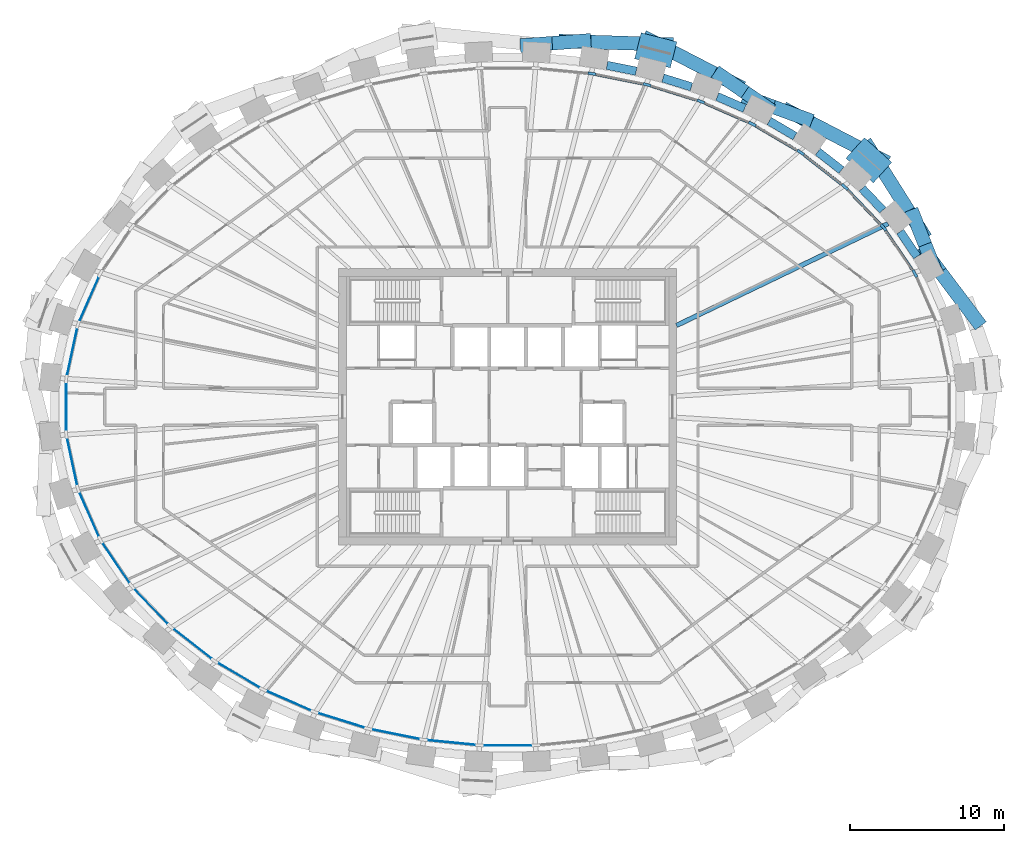
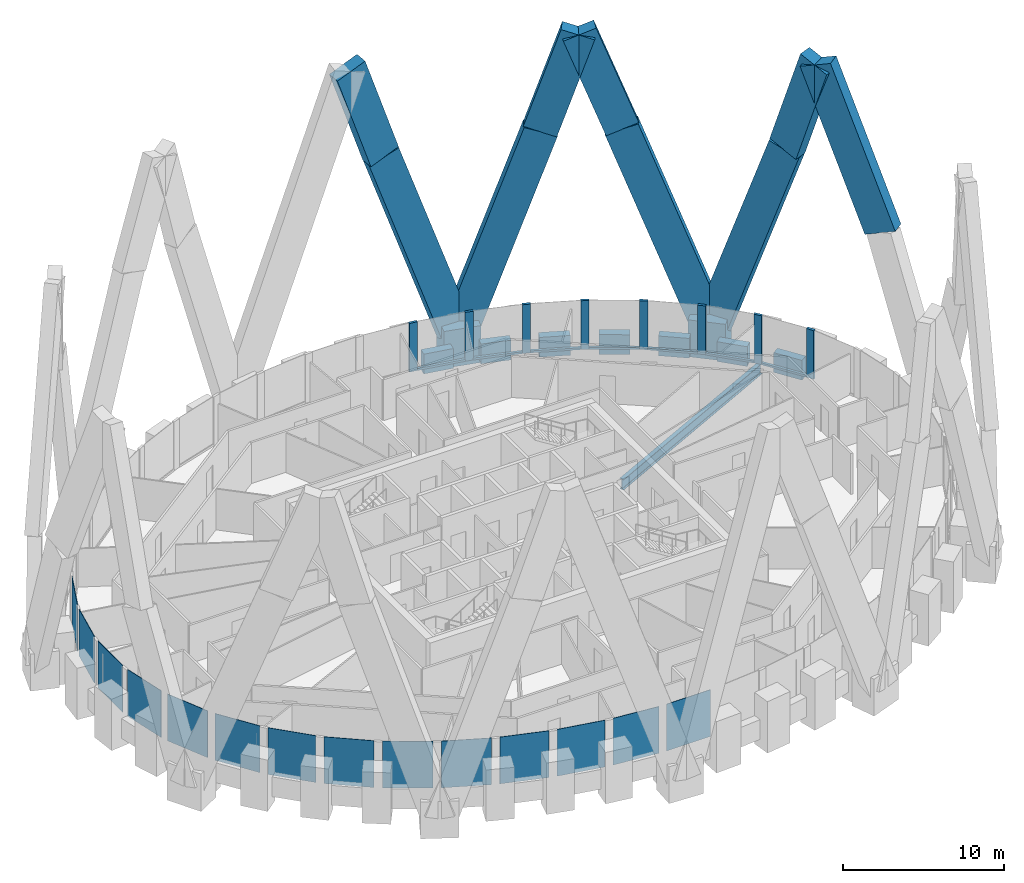
# One storey, part 5 of 13: 26 members, 14 plates, 8 beams, 1 element without a shape of its own.
"""IFC4 building model written with IfcOpenShell, lengths in metres."""

import ifcopenshell
import ifcopenshell.guid

model = None  # the IFC model being written
_history = None  # IfcOwnerHistory: only IFC2X3 demands one
_inside = {}  # id of a spatial element -> (the spatial element, [elements in it])
_under = {}  # id of a project, library or spatial element -> (it, [spatial elements below it])
_declared = {}  # id of a project -> (the project, [libraries it declares])
_typed = {}  # id of a type object -> (the type object, [elements of that type])
_made_of = {}  # id of a material, layer set ... -> (it, [elements and type objects made of it])


def new_model(schema):
    """Start an empty IFC model of exactly this schema.

    Asked for "IFC4X3", IfcOpenShell would pick the latest addendum, in which some entities
    have other attributes; the version numbers below select the first issue.
    IFC2X3 requires an IfcOwnerHistory on every rooted entity: one is made here for all.
    """
    global model, _history
    if schema == "IFC4X3":
        model = ifcopenshell.file(schema_version=(4, 3, 0, 0))
    else:
        model = ifcopenshell.file(schema=schema)
    _inside.clear()
    _under.clear()
    _declared.clear()
    _typed.clear()
    _made_of.clear()
    _history = None
    if model.schema == "IFC2X3":
        org = make("IfcOrganization", Name="unknown")
        user = make(
            "IfcPersonAndOrganization",
            ThePerson=make("IfcPerson", FamilyName="unknown"),
            TheOrganization=org,
        )
        app = make(
            "IfcApplication",
            ApplicationDeveloper=org,
            Version="unknown",
            ApplicationFullName="unknown",
            ApplicationIdentifier="unknown",
        )
        _history = make(
            "IfcOwnerHistory",
            OwningUser=user,
            OwningApplication=app,
            ChangeAction="ADDED",
            CreationDate=0,
        )
    return model


def make(cls, **values):
    """One entity of the class cls with the attributes given. An attribute that is None is left unset."""
    return model.create_entity(
        cls, **{name: value for name, value in values.items() if value is not None}
    )


def rooted(cls, **values):
    """An entity with a GlobalId (a new one), such as an element, a storey or a relation."""
    return make(cls, GlobalId=ifcopenshell.guid.new(), OwnerHistory=_history, **values)


def si_unit(unit_type, name, prefix=None):
    """IfcSIUnit, for example si_unit("LENGTHUNIT", "METRE", prefix="MILLI")."""
    return make("IfcSIUnit", UnitType=unit_type, Prefix=prefix, Name=name)


def assignment(units):
    """IfcUnitAssignment: the units of a project."""
    return None if units is None else make("IfcUnitAssignment", Units=units)


def point(xyz):
    """IfcCartesianPoint."""
    return None if xyz is None else make("IfcCartesianPoint", Coordinates=xyz)


def direction(xyz):
    """IfcDirection."""
    return None if xyz is None else make("IfcDirection", DirectionRatios=xyz)


def frame(location, z_axis=None, x_axis=None):
    """IfcAxis2Placement3D, a coordinate frame: its origin and axes. An axis left out is left unset."""
    return make(
        "IfcAxis2Placement3D",
        Location=point(location),
        Axis=direction(z_axis),
        RefDirection=direction(x_axis),
    )


def frame_2d(location, x_axis=None):
    """IfcAxis2Placement2D, a coordinate frame in the plane: its origin and x axis."""
    return make(
        "IfcAxis2Placement2D", Location=point(location), RefDirection=direction(x_axis)
    )


def origin():
    """The frame at (0, 0, 0) with its axes left unset."""
    return frame((0.0, 0.0, 0.0))


def origin_2d():
    """The frame at (0, 0) in the plane with its x axis left unset."""
    return frame_2d((0.0, 0.0))


def place(relative_to, where):
    """IfcLocalPlacement: puts the frame where relative to a parent placement (None: the world)."""
    return make(
        "IfcLocalPlacement", PlacementRelTo=relative_to, RelativePlacement=where
    )


def context(
    kind, dimensions, precision=None, world=None, true_north=None, identifier=None
):
    """IfcGeometricRepresentationContext, for example the 3D "Model" context."""
    return make(
        "IfcGeometricRepresentationContext",
        ContextIdentifier=identifier,
        ContextType=kind,
        CoordinateSpaceDimension=dimensions,
        Precision=precision,
        WorldCoordinateSystem=world,
        TrueNorth=true_north,
    )


def subcontext(parent, identifier, kind, view, scale=None):
    """IfcGeometricRepresentationSubContext, for example "Body" below "Model"."""
    return make(
        "IfcGeometricRepresentationSubContext",
        ContextIdentifier=identifier,
        ContextType=kind,
        ParentContext=parent,
        TargetScale=scale,
        TargetView=view,
    )


def project(units=None, contexts=None):
    """IfcProject with its units and contexts."""
    return rooted(
        "IfcProject",
        Name="project",
        RepresentationContexts=contexts,
        UnitsInContext=assignment(units),
    )


def spatial(cls, under=None, at=None, **own):
    """A site, building, storey or space (cls), placed at a placement, below another one or the project."""
    s = rooted(cls, ObjectPlacement=at, **own)
    if under is not None:
        _under.setdefault(under.id(), (under, []))[1].append(s)
    return s


def profile(cls, at=None, kind="AREA", **sizes):
    """A parametric profile (cls). Its sizes go by their IFC names, for example OverallWidth=200.0."""
    return make(cls, ProfileType=kind, Position=at, **sizes)


def rectangle(**sizes):
    """IfcRectangleProfileDef."""
    return profile("IfcRectangleProfileDef", **sizes)


def i_section(**sizes):
    """IfcIShapeProfileDef."""
    return profile("IfcIShapeProfileDef", **sizes)


def extrude(swept, where, along, depth):
    """IfcExtrudedAreaSolid: the profile swept, set in the frame where, extruded along a direction by depth."""
    return make(
        "IfcExtrudedAreaSolid",
        SweptArea=swept,
        Position=where,
        ExtrudedDirection=direction(along),
        Depth=depth,
    )


def shape(context_of_items, identifier, shape_type, items):
    """IfcShapeRepresentation: the items that make up one representation, for example the "Body"."""
    return make(
        "IfcShapeRepresentation",
        ContextOfItems=context_of_items,
        RepresentationIdentifier=identifier,
        RepresentationType=shape_type,
        Items=items,
    )


def source(mapping_origin, context_of_items, identifier, shape_type, items):
    """IfcRepresentationMap: a shape defined once, which mapped items show again and again."""
    return make(
        "IfcRepresentationMap",
        MappingOrigin=mapping_origin,
        MappedRepresentation=shape(context_of_items, identifier, shape_type, items),
    )


def transform(
    local_origin,
    x_axis=None,
    y_axis=None,
    z_axis=None,
    scale=None,
    scale2=None,
    scale3=None,
    uniform=True,
):
    """IfcCartesianTransformationOperator3D, or its non-uniform kind. x_axis, y_axis, z_axis: its Axis1, 2, 3."""
    if uniform:
        return make(
            "IfcCartesianTransformationOperator3D",
            Axis1=direction(x_axis),
            Axis2=direction(y_axis),
            LocalOrigin=point(local_origin),
            Scale=scale,
            Axis3=direction(z_axis),
        )
    return make(
        "IfcCartesianTransformationOperator3DnonUniform",
        Axis1=direction(x_axis),
        Axis2=direction(y_axis),
        LocalOrigin=point(local_origin),
        Scale=scale,
        Axis3=direction(z_axis),
        Scale2=scale2,
        Scale3=scale3,
    )


def mapped(mapping_source, mapping_target):
    """IfcMappedItem: shows the shape of a source again, moved by a transform."""
    return make(
        "IfcMappedItem", MappingSource=mapping_source, MappingTarget=mapping_target
    )


def material(Name=None, Category=None):
    """IfcMaterial."""
    return make("IfcMaterial", Name=Name, Category=Category)


def layer(
    of_material, thickness, ventilated=None, Name=None, Category=None, Priority=None
):
    """IfcMaterialLayer: one layer of a wall or slab, of a material (None: an air gap)."""
    return make(
        "IfcMaterialLayer",
        Material=of_material,
        LayerThickness=thickness,
        IsVentilated=ventilated,
        Name=Name,
        Category=Category,
        Priority=Priority,
    )


def layer_set(layers, Name=None):
    """IfcMaterialLayerSet."""
    return make("IfcMaterialLayerSet", MaterialLayers=layers, LayerSetName=Name)


def material_profile(
    of_material, cross_section, Name=None, Category=None, Priority=None
):
    """IfcMaterialProfile: a cross section and its material."""
    return make(
        "IfcMaterialProfile",
        Name=Name,
        Material=of_material,
        Profile=cross_section,
        Priority=Priority,
        Category=Category,
    )


def profile_set(profiles, Name=None, composite=None):
    """IfcMaterialProfileSet."""
    return make(
        "IfcMaterialProfileSet",
        Name=Name,
        MaterialProfiles=profiles,
        CompositeProfile=composite,
    )


def made_of(thing, what):
    """Note that an element or type object is made of a material, layer set ...; save() writes the relation."""
    if what is not None:
        _made_of.setdefault(what.id(), (what, []))[1].append(thing)
    return thing


def type_object(cls, material=None, **own):
    """A type object (cls), such as IfcWallType, which elements share."""
    return made_of(rooted(cls, **own), material)


def element(
    cls,
    number,
    at=None,
    inside=None,
    cuts=None,
    type_object=None,
    material=None,
    context=None,
    identifier="Body",
    shape_type=None,
    held_by="IfcProductDefinitionShape",
    body=None,
    shapes=None,
    **own,
):
    """One element of the class cls, such as IfcWall. Its Tag is "e" and its number.

    at: its placement. inside: the storey or other place that contains it. cuts: it is an
    opening in that element (IfcRelVoidsElement). A single representation is given by context,
    identifier, shape_type and body (its items); several are given by shapes. held_by: the class
    of the entity that holds the representations. save() writes the other relations.
    """
    e = rooted(cls, Tag="e%d" % number, ObjectPlacement=at, **own)
    if body is not None:
        shapes = [shape(context, identifier, shape_type, body)]
    if shapes is not None:
        e.Representation = make(held_by, Representations=shapes)
    if inside is not None:
        _inside.setdefault(inside.id(), (inside, []))[1].append(e)
    if cuts is not None:
        rooted(
            "IfcRelVoidsElement", RelatingBuildingElement=cuts, RelatedOpeningElement=e
        )
    if type_object is not None:
        _typed.setdefault(type_object.id(), (type_object, []))[1].append(e)
    return made_of(e, material)


def aggregate(whole, parts):
    """IfcRelAggregates: a whole, such as a stair, and the parts it consists of."""
    return rooted("IfcRelAggregates", RelatingObject=whole, RelatedObjects=parts)


def save(model, path):
    """Write the relations noted so far, then the file.

    IfcRelAggregates (storeys below a building ...), IfcRelContainedInSpatialStructure (elements
    in a storey), IfcRelDefinesByType, IfcRelAssociatesMaterial and IfcRelDeclares: one each for
    every whole, place, type object, material and project.
    """
    for whole, parts in _under.values():
        aggregate(whole, parts)
    for where, things in _inside.values():
        rooted(
            "IfcRelContainedInSpatialStructure",
            RelatedElements=things,
            RelatingStructure=where,
        )
    for kind, things in _typed.values():
        rooted("IfcRelDefinesByType", RelatedObjects=things, RelatingType=kind)
    for what, things in _made_of.values():
        rooted("IfcRelAssociatesMaterial", RelatedObjects=things, RelatingMaterial=what)
    for by, libraries in _declared.values():
        rooted("IfcRelDeclares", RelatingContext=by, RelatedDefinitions=libraries)
    model.write(path)


model = new_model("IFC4")

# Units and contexts
model_context = context("Model", 3, precision=1e-05, world=origin(), true_north=direction((0.0, 1.0)))
body_context = subcontext(model_context, "Body", "Model", "MODEL_VIEW")
ifc_project = project(units=[si_unit("LENGTHUNIT", "METRE"), si_unit("AREAUNIT", "SQUARE_METRE"), si_unit("VOLUMEUNIT", "CUBIC_METRE"), si_unit("PLANEANGLEUNIT", "RADIAN"), si_unit("MASSUNIT", "GRAM", prefix="KILO")], contexts=[model_context])

# Site, building, storey
site_placement = place(None, origin())
site = spatial("IfcSite", under=ifc_project, at=site_placement, CompositionType="ELEMENT")
building_placement = place(site_placement, origin())
building = spatial("IfcBuilding", under=site, at=building_placement, Name="Embergate Tower", CompositionType="ELEMENT")
storey_placement = place(building_placement, frame((0.0, 0.0, 316.89990234375)))
storey = spatial("IfcBuildingStorey", under=building, at=storey_placement, Name="L74", CompositionType="ELEMENT", Elevation=316.89990234375)

# Beams
ifc_material_1 = material(Name="Concrete C50", Category="concrete")
ifc_material_profile_1 = material_profile(ifc_material_1, rectangle(XDim=0.550048828125, YDim=1.5, at=origin_2d()), Name="RC 550x1500")
ifc_profile_set_1 = profile_set([ifc_material_profile_1], Name="Concrete C50")
beam_type_1 = type_object("IfcBeamType", Name="Spandrel beam RC 550x1500 C50", PredefinedType="BEAM", material=ifc_profile_set_1)
shared_shape_1 = source(origin(), body_context, "Body", "SweptSolid", [
    extrude(rectangle(XDim=0.550048828125, YDim=1.5, at=origin_2d()), origin(), (0.0, 0.0, 1.0), 1.960205078125),
])
beam_1_placement = place(storey_placement, frame((26.676025390625, 9.782958984375, 0.0), z_axis=(-0.562207817231, 0.826995991674, 0.0), x_axis=(-0.826995991674, -0.562207817231, 0.0)))
element("IfcBeam", 1, at=beam_1_placement, inside=storey, type_object=beam_type_1, Name="SPN-L74-02", PredefinedType="BEAM", context=body_context, shape_type="MappedRepresentation", body=[
    mapped(shared_shape_1, transform((0.0, 0.0, 0.0))),
])
shared_shape_2 = source(origin(), body_context, "Body", "SweptSolid", [
    extrude(rectangle(XDim=0.550048828125, YDim=1.5, at=origin_2d()), origin(), (0.0, 0.0, 1.0), 1.955078125),
])
beam_2_placement = place(storey_placement, frame((24.443115234375, 12.803955078125, 0.0), z_axis=(-0.690558902138, 0.723276159346, 0.0), x_axis=(-0.723276159346, -0.690558902138, 0.0)))
element("IfcBeam", 2, at=beam_2_placement, inside=storey, type_object=beam_type_1, Name="SPN-L74-03", PredefinedType="BEAM", context=body_context, shape_type="MappedRepresentation", body=[
    mapped(shared_shape_2, transform((0.0, 0.0, 0.0))),
])
shared_shape_3 = source(origin(), body_context, "Body", "SweptSolid", [
    extrude(rectangle(XDim=0.550048828125, YDim=1.5, at=origin_2d()), origin(), (0.0, 0.0, 1.0), 1.94873046875),
])
beam_3_placement = place(storey_placement, frame((21.74609375, 15.412109375, 0.0), z_axis=(-0.78830540841, 0.615284148236, 0.0), x_axis=(-0.615284148236, -0.78830540841, 0.0)))
element("IfcBeam", 3, at=beam_3_placement, inside=storey, type_object=beam_type_1, Name="SPN-L74-04", PredefinedType="BEAM", context=body_context, shape_type="MappedRepresentation", body=[
    mapped(shared_shape_3, transform((0.0, 0.0, 0.0))),
])
shared_shape_4 = source(origin(), body_context, "Body", "SweptSolid", [
    extrude(rectangle(XDim=0.550048828125, YDim=1.5, at=origin_2d()), origin(), (0.0, 0.0, 1.0), 1.944580078125),
])
beam_4_placement = place(storey_placement, frame((18.720947265625, 17.623046875, 0.0), z_axis=(-0.861947125599, 0.506998178174, 0.0), x_axis=(-0.506998178174, -0.861947125599, 0.0)))
element("IfcBeam", 4, at=beam_4_placement, inside=storey, type_object=beam_type_1, Name="SPN-L74-05", PredefinedType="BEAM", context=body_context, shape_type="MappedRepresentation", body=[
    mapped(shared_shape_4, transform((0.0, 0.0, 0.0))),
])
shared_shape_5 = source(origin(), body_context, "Body", "SweptSolid", [
    extrude(rectangle(XDim=0.550048828125, YDim=1.5, at=origin_2d()), origin(), (0.0, 0.0, 1.0), 1.943603515625),
])
beam_5_placement = place(storey_placement, frame((15.44189453125, 19.427001953125, 0.0), z_axis=(-0.916367666651, 0.400337731818, 0.0), x_axis=(-0.400337731818, -0.916367666651, 0.0)))
element("IfcBeam", 5, at=beam_5_placement, inside=storey, type_object=beam_type_1, Name="SPN-L74-06", PredefinedType="BEAM", context=body_context, shape_type="MappedRepresentation", body=[
    mapped(shared_shape_5, transform((0.0, 0.0, 0.0))),
])
shared_shape_6 = source(origin(), body_context, "Body", "SweptSolid", [
    extrude(rectangle(XDim=0.550048828125, YDim=1.5, at=origin_2d()), origin(), (0.0, 0.0, 1.0), 1.940673828125),
])
beam_6_placement = place(storey_placement, frame((11.97509765625, 20.833984375, 0.0), z_axis=(-0.954797285525, 0.297257705625, 0.0), x_axis=(-0.297257705625, -0.954797285525, 0.0)))
element("IfcBeam", 6, at=beam_6_placement, inside=storey, type_object=beam_type_1, Name="SPN-L74-07", PredefinedType="BEAM", context=body_context, shape_type="MappedRepresentation", body=[
    mapped(shared_shape_6, transform((0.0, 0.0, 0.0))),
])
shared_shape_7 = source(origin(), body_context, "Body", "SweptSolid", [
    extrude(rectangle(XDim=0.550048828125, YDim=1.5, at=origin_2d()), origin(), (0.0, 0.0, 1.0), 1.93994140625),
])
beam_7_placement = place(storey_placement, frame((8.3779296875, 21.85595703125, 0.0), z_axis=(-0.980410889527, 0.1969631633, 0.0), x_axis=(-0.1969631633, -0.980410889527, 0.0)))
element("IfcBeam", 7, at=beam_7_placement, inside=storey, type_object=beam_type_1, Name="SPN-L74-08", PredefinedType="BEAM", context=body_context, shape_type="MappedRepresentation", body=[
    mapped(shared_shape_7, transform((0.0, 0.0, 0.0))),
])
ifc_material_2 = material(Name="Steel Q355B", Category="steel")
ifc_material_profile_2 = material_profile(ifc_material_2, i_section(OverallWidth=0.300048828125, OverallDepth=0.800048828125, WebThickness=0.013916015625, FlangeThickness=0.02587890625, FilletRadius=0.028076171875, at=origin_2d()), Name="HN 800x300x14x26")
ifc_profile_set_2 = profile_set([ifc_material_profile_2], Name="Steel Q355 grade B")
beam_type_2 = type_object("IfcBeamType", Name="Radial girder HN 800x300x14x26", PredefinedType="BEAM", material=ifc_profile_set_2)
shared_shape_8 = source(origin(), body_context, "Body", "SweptSolid", [
    extrude(i_section(OverallWidth=0.300048828125, OverallDepth=0.800048828125, WebThickness=0.013916015625, FlangeThickness=0.02587890625, FilletRadius=0.028076171875, at=origin_2d()), origin(), (0.0, 0.0, 1.0), 15.302734375),
])
beam_8_placement = place(storey_placement, frame((24.7900390625, 11.926025390625, -0.599853515625), z_axis=(-0.901145046511, -0.433517710305, 0.0), x_axis=(0.433517710305, -0.901145046511, 0.0)))
element("IfcBeam", 8, at=beam_8_placement, inside=storey, type_object=beam_type_2, Name="GIR-L74-03", PredefinedType="BEAM", context=body_context, shape_type="MappedRepresentation", body=[
    mapped(shared_shape_8, transform((0.0, 0.0, 0.0))),
])

# Members
ifc_material_3 = material(Name="Concrete C70", Category="concrete")
ifc_material_profile_3 = material_profile(ifc_material_3, rectangle(XDim=1.800048828125, YDim=2.39990234375, at=origin_2d()), Name="RC 1800x2400")
ifc_profile_set_3 = profile_set([ifc_material_profile_3], Name="Concrete C70")
member_type_1 = type_object("IfcMemberType", Name="Lattice node block RC 1800x2400", PredefinedType="POST", material=ifc_profile_set_3)
shared_shape_9 = source(origin(), body_context, "Body", "SweptSolid", [
    extrude(rectangle(XDim=1.800048828125, YDim=2.39990234375, at=origin_2d()), origin(), (0.0, 0.0, 1.0), 2.800048828125),
])
member_1_placement = place(storey_placement, frame((23.537109375, 16.055908203125, -1.39990234375), z_axis=(0.0, 0.0, 1.0), x_axis=(0.669221393633, 0.743063070206, 0.0)))
element("IfcMember", 9, at=member_1_placement, inside=storey, type_object=member_type_1, Name="NOD-L74-04", PredefinedType="POST", context=body_context, shape_type="MappedRepresentation", body=[
    mapped(shared_shape_9, transform((0.0, 0.0, 0.0))),
])
ifc_material_profile_4 = material_profile(ifc_material_3, rectangle(XDim=1.75, YDim=2.39990234375, at=origin_2d()), Name="RC 1750x2400")
ifc_profile_set_4 = profile_set([ifc_material_profile_4], Name="Concrete C70")
member_type_2 = type_object("IfcMemberType", Name="Lattice node block RC 1750x2400", PredefinedType="POST", material=ifc_profile_set_4)
shared_shape_10 = source(origin(), body_context, "Body", "SweptSolid", [
    extrude(rectangle(XDim=1.75, YDim=2.39990234375, at=origin_2d()), origin(), (0.0, 0.0, 1.0), 2.800048828125),
])
member_2_placement = place(storey_placement, frame((9.653076171875, 23.219970703125, -1.39990234375), z_axis=(0.0, 0.0, 1.0), x_axis=(0.24650851817, 0.969140624713, 0.0)))
element("IfcMember", 10, at=member_2_placement, inside=storey, type_object=member_type_2, Name="NOD-L74-08", PredefinedType="POST", context=body_context, shape_type="MappedRepresentation", body=[
    mapped(shared_shape_10, transform((0.0, 0.0, 0.0))),
])
ifc_material_profile_5 = material_profile(ifc_material_3, rectangle(XDim=0.89990234375, YDim=2.199951171875, at=origin_2d()), Name="RC 900x2200")
ifc_profile_set_5 = profile_set([ifc_material_profile_5], Name="Concrete C70")
member_type_3 = type_object("IfcMemberType", Name="Lattice diagonal terracotta-faced RC 900x2200", PredefinedType="BRACE", material=ifc_profile_set_5)
shared_shape_11 = source(origin(), body_context, "Body", "SweptSolid", [
    extrude(rectangle(XDim=0.89990234375, YDim=2.199951171875, at=origin_2d()), origin(), (0.0, 0.0, 1.0), 12.3525390625),
])
member_3_placement = place(storey_placement, frame((30.208984375, 6.0869140625, 11.550048828125), z_axis=(-0.213002459139, 0.28342351898, 0.935040673602), x_axis=(-0.799410927396, -0.600784627932, 0.0)))
element("IfcMember", 11, at=member_3_placement, inside=storey, type_object=member_type_3, Name="BRC-L74-00-02-S01", PredefinedType="BRACE", context=body_context, shape_type="MappedRepresentation", body=[
    mapped(shared_shape_11, transform((0.0, 0.0, 0.0))),
])
shared_shape_12 = source(origin(), body_context, "Body", "SweptSolid", [
    extrude(rectangle(XDim=0.89990234375, YDim=2.199951171875, at=origin_2d()), origin(), (0.0, 0.0, 1.0), 16.488525390625),
])
member_4_placement = place(storey_placement, frame((23.8310546875, 16.382080078125, 0.0), z_axis=(0.172778425972, -0.273892820604, 0.946113279867), x_axis=(0.845776696719, 0.533537045843, 0.0)))
element("IfcMember", 12, at=member_4_placement, inside=storey, type_object=member_type_3, Name="BRC-L74-04-02-S00", PredefinedType="BRACE", context=body_context, shape_type="MappedRepresentation", body=[
    mapped(shared_shape_12, transform((0.0, 0.0, 0.0))),
])
shared_shape_13 = source(origin(), body_context, "Body", "SweptSolid", [
    extrude(rectangle(XDim=0.89990234375, YDim=2.199951171875, at=origin_2d()), origin(), (0.0, 0.0, 1.0), 7.8896484375),
])
member_5_placement = place(storey_placement, frame((26.679931640625, 11.865966796875, 15.60009765625), z_axis=(0.113814147208, -0.288743830233, 0.95061734699), x_axis=(0.930335221254, 0.366710207242, 0.0)))
element("IfcMember", 13, at=member_5_placement, inside=storey, type_object=member_type_3, Name="BRC-L74-04-02-S01", PredefinedType="BRACE", context=body_context, shape_type="MappedRepresentation", body=[
    mapped(shared_shape_13, transform((0.0, 0.0, 0.0))),
])
shared_shape_14 = source(origin(), body_context, "Body", "SweptSolid", [
    extrude(rectangle(XDim=0.89990234375, YDim=2.199951171875, at=origin_2d()), origin(), (0.0, 0.0, 1.0), 16.57421875),
])
member_6_placement = place(storey_placement, frame((23.8310546875, 16.382080078125, 0.0), z_axis=(-0.299686574142, 0.155786935764, 0.941232377218), x_axis=(-0.461236014015, -0.887277487247, 0.0)))
element("IfcMember", 14, at=member_6_placement, inside=storey, type_object=member_type_3, Name="BRC-L74-04-06-S00", PredefinedType="BRACE", context=body_context, shape_type="MappedRepresentation", body=[
    mapped(shared_shape_14, transform((0.0, 0.0, 0.0))),
])
shared_shape_15 = source(origin(), body_context, "Body", "SweptSolid", [
    extrude(rectangle(XDim=0.89990234375, YDim=2.199951171875, at=origin_2d()), origin(), (0.0, 0.0, 1.0), 7.970947265625),
])
member_7_placement = place(storey_placement, frame((18.864013671875, 18.964111328125, 15.60009765625), z_axis=(-0.317897409298, 0.116665500724, 0.940919974335), x_axis=(-0.344523060861, -0.938777854732, 0.0)))
element("IfcMember", 15, at=member_7_placement, inside=storey, type_object=member_type_3, Name="BRC-L74-04-06-S01", PredefinedType="BRACE", context=body_context, shape_type="MappedRepresentation", body=[
    mapped(shared_shape_15, transform((0.0, 0.0, 0.0))),
])
shared_shape_16 = source(origin(), body_context, "Body", "SweptSolid", [
    extrude(rectangle(XDim=0.89990234375, YDim=2.199951171875, at=origin_2d()), origin(), (0.0, 0.0, 1.0), 16.4453125),
])
member_8_placement = place(storey_placement, frame((9.757080078125, 23.6259765625, 0.0), z_axis=(0.281176504292, -0.145205247544, 0.948606983698), x_axis=(0.458847247037, 0.888515168068, 0.0)))
element("IfcMember", 16, at=member_8_placement, inside=storey, type_object=member_type_3, Name="BRC-L74-08-06-S00", PredefinedType="BRACE", context=body_context, shape_type="MappedRepresentation", body=[
    mapped(shared_shape_16, transform((0.0, 0.0, 0.0))),
])
shared_shape_17 = source(origin(), body_context, "Body", "SweptSolid", [
    extrude(rectangle(XDim=0.89990234375, YDim=2.199951171875, at=origin_2d()), origin(), (0.0, 0.0, 1.0), 7.86474609375),
])
member_9_placement = place(storey_placement, frame((14.381103515625, 21.238037109375, 15.60009765625), z_axis=(0.247810326329, -0.170887616991, 0.953618091546), x_axis=(0.567696807895, 0.823237714337, 0.0)))
element("IfcMember", 17, at=member_9_placement, inside=storey, type_object=member_type_3, Name="BRC-L74-08-06-S01", PredefinedType="BRACE", context=body_context, shape_type="MappedRepresentation", body=[
    mapped(shared_shape_17, transform((0.0, 0.0, 0.0))),
])
shared_shape_18 = source(origin(), body_context, "Body", "SweptSolid", [
    extrude(rectangle(XDim=0.89990234375, YDim=2.199951171875, at=origin_2d()), origin(), (0.0, 0.0, 1.0), 16.500732421875),
])
member_10_placement = place(storey_placement, frame((9.757080078125, 23.6259765625, 0.0), z_axis=(-0.325685987416, 0.010061169882, 0.945424460473), x_axis=(-0.030877510434, -0.999523175994, 0.0)))
element("IfcMember", 18, at=member_10_placement, inside=storey, type_object=member_type_3, Name="BRC-L74-08-10-S00", PredefinedType="BRACE", context=body_context, shape_type="MappedRepresentation", body=[
    mapped(shared_shape_18, transform((0.0, 0.0, 0.0))),
])
shared_shape_19 = source(origin(), body_context, "Body", "SweptSolid", [
    extrude(rectangle(XDim=0.89990234375, YDim=2.199951171875, at=origin_2d()), origin(), (0.0, 0.0, 1.0), 7.912353515625),
])
member_11_placement = place(storey_placement, frame((4.383056640625, 23.7919921875, 15.60009765625), z_axis=(-0.317748697311, -0.023758642157, 0.947877255914), x_axis=(0.074563654805, -0.997216256076, 0.0)))
element("IfcMember", 19, at=member_11_placement, inside=storey, type_object=member_type_3, Name="BRC-L74-08-10-S01", PredefinedType="BRACE", context=body_context, shape_type="MappedRepresentation", body=[
    mapped(shared_shape_19, transform((0.0, 0.0, 0.0))),
])

# Curtain wall, members, plates
ifc_material_4 = material(Name="Aluminium and glass", Category="aluminium")
curtain_wall_type = type_object("IfcCurtainWallType", Name="Recessed office glazing", PredefinedType="NOTDEFINED", material=ifc_material_4)
curtain_wall_placement = place(storey_placement, origin())
curtain_wall = element("IfcCurtainWall", 20, at=curtain_wall_placement, inside=storey, type_object=curtain_wall_type, Name="Recessed office glazing ring", ObjectType="RECESSED OFFICE GLAZING", PredefinedType="USERDEFINED")
ifc_material_5 = material(Name="Aluminium, thermally broken", Category="aluminium")
ifc_material_profile_6 = material_profile(ifc_material_5, rectangle(XDim=0.179931640625, YDim=0.52001953125, at=origin_2d()), Name="AL 520x180")
ifc_profile_set_6 = profile_set([ifc_material_profile_6], Name="Aluminium, thermally broken")
member_type_4 = type_object("IfcMemberType", Name="Office mullion", PredefinedType="MULLION", material=ifc_profile_set_6)
shared_shape_20 = source(origin(), body_context, "Body", "SweptSolid", [
    extrude(rectangle(XDim=0.179931640625, YDim=0.52001953125, at=origin_2d()), origin(), (0.0, 0.0, 1.0), 3.7001953125),
])
member_12_placement = place(storey_placement, frame((26.53173828125, 8.67236328125, 0.0), z_axis=(0.0, 0.0, 1.0), x_axis=(-0.874991756265, -0.484137817639, 0.0)))
member_12 = element("IfcMember", 21, at=member_12_placement, type_object=member_type_4, Name="CW mullion 3", PredefinedType="MULLION", context=body_context, shape_type="MappedRepresentation", body=[
    mapped(shared_shape_20, transform((0.0, 0.0, 0.0))),
])
member_13_placement = place(storey_placement, frame((24.48681640625, 11.6796875, 0.0), z_axis=(0.0, 0.0, 1.0), x_axis=(-0.777861596203, -0.628435626897, 0.0)))
member_13 = element("IfcMember", 22, at=member_13_placement, type_object=member_type_4, Name="CW mullion 4", PredefinedType="MULLION", context=body_context, shape_type="MappedRepresentation", body=[
    mapped(shared_shape_20, transform((0.0, 0.0, 0.0))),
])
member_14_placement = place(storey_placement, frame((21.97119140625, 14.3173828125, 0.0), z_axis=(0.0, 0.0, 1.0), x_axis=(-0.671217477801, -0.741260478843, 0.0)))
member_14 = element("IfcMember", 23, at=member_14_placement, type_object=member_type_4, Name="CW mullion 5", PredefinedType="MULLION", context=body_context, shape_type="MappedRepresentation", body=[
    mapped(shared_shape_20, transform((0.0, 0.0, 0.0))),
])
member_15_placement = place(storey_placement, frame((19.092041015625, 16.564697265625, 0.0), z_axis=(0.0, 0.0, 1.0), x_axis=(-0.562210401679, -0.82699423471, 0.0)))
member_15 = element("IfcMember", 24, at=member_15_placement, type_object=member_type_4, Name="CW mullion 6", PredefinedType="MULLION", context=body_context, shape_type="MappedRepresentation", body=[
    mapped(shared_shape_20, transform((0.0, 0.0, 0.0))),
])
member_16_placement = place(storey_placement, frame((15.9384765625, 18.418701171875, 0.0), z_axis=(0.0, 0.0, 1.0), x_axis=(-0.454506716612, -0.890743310138, 0.0)))
member_16 = element("IfcMember", 25, at=member_16_placement, type_object=member_type_4, Name="CW mullion 7", PredefinedType="MULLION", context=body_context, shape_type="MappedRepresentation", body=[
    mapped(shared_shape_20, transform((0.0, 0.0, 0.0))),
])
member_17_placement = place(storey_placement, frame((12.582763671875, 19.885986328125, 0.0), z_axis=(0.0, 0.0, 1.0), x_axis=(-0.349501047589, -0.936935973124, 0.0)))
member_17 = element("IfcMember", 26, at=member_17_placement, type_object=member_type_4, Name="CW mullion 8", PredefinedType="MULLION", context=body_context, shape_type="MappedRepresentation", body=[
    mapped(shared_shape_20, transform((0.0, 0.0, 0.0))),
])
member_18_placement = place(storey_placement, frame((9.082763671875, 20.97607421875, 0.0), z_axis=(0.0, 0.0, 1.0), x_axis=(-0.247310190257, -0.968936360034, 0.0)))
member_18 = element("IfcMember", 27, at=member_18_placement, type_object=member_type_4, Name="CW mullion 9", PredefinedType="MULLION", context=body_context, shape_type="MappedRepresentation", body=[
    mapped(shared_shape_20, transform((0.0, 0.0, 0.0))),
])
member_19_placement = place(storey_placement, frame((5.486328125, 21.697265625, 0.0), z_axis=(0.0, 0.0, 1.0), x_axis=(-0.147410656556, -0.989075375456, 0.0)))
member_19 = element("IfcMember", 28, at=member_19_placement, type_object=member_type_4, Name="CW mullion 10", PredefinedType="MULLION", context=body_context, shape_type="MappedRepresentation", body=[
    mapped(shared_shape_20, transform((0.0, 0.0, 0.0))),
])
ifc_material_profile_7 = material_profile(ifc_material_5, rectangle(XDim=0.179931640625, YDim=0.14990234375, at=origin_2d()), Name="AL 150x180")
ifc_profile_set_7 = profile_set([ifc_material_profile_7], Name="Aluminium, thermally broken")
member_type_5 = type_object("IfcMemberType", Name="Office sill transom", PredefinedType="USERDEFINED", material=ifc_profile_set_7)
shared_shape_21 = source(origin(), body_context, "Body", "SweptSolid", [
    extrude(rectangle(XDim=0.179931640625, YDim=0.14990234375, at=origin_2d()), origin(), (0.0, 0.0, 1.0), 3.116455078125),
])
member_20_placement = place(storey_placement, frame((26.385498046875, 8.887451171875, 0.0751953125), z_axis=(-0.562305735985, 0.826929416141, 0.0), x_axis=(-0.826929416141, -0.562305735985, 0.0)))
member_20 = element("IfcMember", 29, at=member_20_placement, type_object=member_type_5, Name="CW transom 3.1", ObjectType="TRANSOM", PredefinedType="USERDEFINED", context=body_context, shape_type="MappedRepresentation", body=[
    mapped(shared_shape_21, transform((0.0, 0.0, 0.0))),
])
shared_shape_22 = source(origin(), body_context, "Body", "SweptSolid", [
    extrude(rectangle(XDim=0.179931640625, YDim=0.14990234375, at=origin_2d()), origin(), (0.0, 0.0, 1.0), 3.125244140625),
])
member_21_placement = place(storey_placement, frame((24.307373046875, 11.86767578125, 0.0751953125), z_axis=(-0.69011149361, 0.723703065067, 0.0), x_axis=(-0.723703065067, -0.69011149361, 0.0)))
member_21 = element("IfcMember", 30, at=member_21_placement, type_object=member_type_5, Name="CW transom 4.1", ObjectType="TRANSOM", PredefinedType="USERDEFINED", context=body_context, shape_type="MappedRepresentation", body=[
    mapped(shared_shape_22, transform((0.0, 0.0, 0.0))),
])
shared_shape_23 = source(origin(), body_context, "Body", "SweptSolid", [
    extrude(rectangle(XDim=0.179931640625, YDim=0.14990234375, at=origin_2d()), origin(), (0.0, 0.0, 1.0), 3.132080078125),
])
member_22_placement = place(storey_placement, frame((21.76611328125, 14.477294921875, 0.0751953125), z_axis=(-0.788280741955, 0.615315749727, 0.0), x_axis=(-0.615315749727, -0.788280741955, 0.0)))
member_22 = element("IfcMember", 31, at=member_22_placement, type_object=member_type_5, Name="CW transom 5.1", ObjectType="TRANSOM", PredefinedType="USERDEFINED", context=body_context, shape_type="MappedRepresentation", body=[
    mapped(shared_shape_23, transform((0.0, 0.0, 0.0))),
])
shared_shape_24 = source(origin(), body_context, "Body", "SweptSolid", [
    extrude(rectangle(XDim=0.179931640625, YDim=0.14990234375, at=origin_2d()), origin(), (0.0, 0.0, 1.0), 3.13818359375),
])
member_23_placement = place(storey_placement, frame((18.867919921875, 16.6962890625, 0.0751953125), z_axis=(-0.862044187524, 0.506833127129, 0.0), x_axis=(-0.506833127129, -0.862044187524, 0.0)))
member_23 = element("IfcMember", 32, at=member_23_placement, type_object=member_type_5, Name="CW transom 6.1", ObjectType="TRANSOM", PredefinedType="USERDEFINED", context=body_context, shape_type="MappedRepresentation", body=[
    mapped(shared_shape_24, transform((0.0, 0.0, 0.0))),
])
shared_shape_25 = source(origin(), body_context, "Body", "SweptSolid", [
    extrude(rectangle(XDim=0.179931640625, YDim=0.14990234375, at=origin_2d()), origin(), (0.0, 0.0, 1.0), 3.142578125),
])
member_24_placement = place(storey_placement, frame((15.7001953125, 18.522705078125, 0.0751953125), z_axis=(-0.916239332715, 0.400631358217, 0.0), x_axis=(-0.400631358217, -0.916239332715, 0.0)))
member_24 = element("IfcMember", 33, at=member_24_placement, type_object=member_type_5, Name="CW transom 7.1", ObjectType="TRANSOM", PredefinedType="USERDEFINED", context=body_context, shape_type="MappedRepresentation", body=[
    mapped(shared_shape_25, transform((0.0, 0.0, 0.0))),
])
shared_shape_26 = source(origin(), body_context, "Body", "SweptSolid", [
    extrude(rectangle(XDim=0.179931640625, YDim=0.14990234375, at=origin_2d()), origin(), (0.0, 0.0, 1.0), 3.145751953125),
])
member_25_placement = place(storey_placement, frame((12.33447265625, 19.96337890625, 0.0751953125), z_axis=(-0.954775040365, 0.297329148077, 0.0), x_axis=(-0.297329148077, -0.954775040365, 0.0)))
member_25 = element("IfcMember", 34, at=member_25_placement, type_object=member_type_5, Name="CW transom 8.1", ObjectType="TRANSOM", PredefinedType="USERDEFINED", context=body_context, shape_type="MappedRepresentation", body=[
    mapped(shared_shape_26, transform((0.0, 0.0, 0.0))),
])
shared_shape_27 = source(origin(), body_context, "Body", "SweptSolid", [
    extrude(rectangle(XDim=0.179931640625, YDim=0.14990234375, at=origin_2d()), origin(), (0.0, 0.0, 1.0), 3.148193359375),
])
member_26_placement = place(storey_placement, frame((8.827880859375, 21.027099609375, 0.0751953125), z_axis=(-0.980485111411, 0.19659335264, 0.0), x_axis=(-0.19659335264, -0.980485111411, 0.0)))
member_26 = element("IfcMember", 35, at=member_26_placement, type_object=member_type_5, Name="CW transom 9.1", ObjectType="TRANSOM", PredefinedType="USERDEFINED", context=body_context, shape_type="MappedRepresentation", body=[
    mapped(shared_shape_27, transform((0.0, 0.0, 0.0))),
])
ifc_material_6 = material(Name="Triple glazing, low-emissivity coating", Category="glass")
ifc_layer = layer(ifc_material_6, 0.035888671875)
ifc_layer_set = layer_set([ifc_layer], Name="Triple glazing, low-emissivity coating")
plate_type = type_object("IfcPlateType", Name="Office glazing unit", PredefinedType="CURTAIN_PANEL", material=ifc_layer_set)
shared_shape_28 = source(origin(), body_context, "Body", "SweptSolid", [
    extrude(rectangle(XDim=3.101318359375, YDim=0.035888671875, at=origin_2d()), origin(), (0.0, 0.0, 1.0), 3.550048828125),
])
plate_1_placement = place(storey_placement, frame((-28.3701171875, 3.57958984375, 0.14990234375), z_axis=(0.0, 0.0, 1.0), x_axis=(-0.210400097438, -0.977615363524, 0.0)))
plate_1 = element("IfcPlate", 36, at=plate_1_placement, type_object=plate_type, Name="CW panel 21.1", PredefinedType="CURTAIN_PANEL", context=body_context, shape_type="MappedRepresentation", body=[
    mapped(shared_shape_28, transform((0.0, 0.0, 0.0))),
])
plate_2_placement = place(storey_placement, frame((-28.3701171875, -3.57958984375, 0.14990234375), z_axis=(0.0, 0.0, 1.0), x_axis=(0.210400097438, -0.977615363524, 0.0)))
plate_2 = element("IfcPlate", 37, at=plate_2_placement, type_object=plate_type, Name="CW panel 23.1", PredefinedType="CURTAIN_PANEL", context=body_context, shape_type="MappedRepresentation", body=[
    mapped(shared_shape_28, transform((0.0, 0.0, 0.0))),
])
shared_shape_29 = source(origin(), body_context, "Body", "SweptSolid", [
    extrude(rectangle(XDim=3.108154296875, YDim=0.035888671875, at=origin_2d()), origin(), (0.0, 0.0, 1.0), 3.550048828125),
])
plate_3_placement = place(storey_placement, frame((-27.260498046875, 7.010986328125, 0.14990234375), z_axis=(0.0, 0.0, 1.0), x_axis=(-0.401653699516, -0.915791627864, 0.0)))
plate_3 = element("IfcPlate", 38, at=plate_3_placement, type_object=plate_type, Name="CW panel 20.1", PredefinedType="CURTAIN_PANEL", context=body_context, shape_type="MappedRepresentation", body=[
    mapped(shared_shape_29, transform((0.0, 0.0, 0.0))),
])
plate_4_placement = place(storey_placement, frame((-27.260498046875, -7.010986328125, 0.14990234375), z_axis=(0.0, 0.0, 1.0), x_axis=(0.401653699516, -0.915791627864, 0.0)))
plate_4 = element("IfcPlate", 39, at=plate_4_placement, type_object=plate_type, Name="CW panel 24.1", PredefinedType="CURTAIN_PANEL", context=body_context, shape_type="MappedRepresentation", body=[
    mapped(shared_shape_29, transform((0.0, 0.0, 0.0))),
])
shared_shape_30 = source(origin(), body_context, "Body", "SweptSolid", [
    extrude(rectangle(XDim=3.11669921875, YDim=0.035888671875, at=origin_2d()), origin(), (0.0, 0.0, 1.0), 3.550048828125),
])
plate_5_placement = place(storey_placement, frame((-25.50927734375, -10.176025390625, 0.14990234375), z_axis=(0.0, 0.0, 1.0), x_axis=(0.562343185136, -0.826903949762, 0.0)))
plate_5 = element("IfcPlate", 40, at=plate_5_placement, type_object=plate_type, Name="CW panel 25.1", PredefinedType="CURTAIN_PANEL", context=body_context, shape_type="MappedRepresentation", body=[
    mapped(shared_shape_30, transform((0.0, 0.0, 0.0))),
])
shared_shape_31 = source(origin(), body_context, "Body", "SweptSolid", [
    extrude(rectangle(XDim=3.125, YDim=0.035888671875, at=origin_2d()), origin(), (0.0, 0.0, 1.0), 3.550048828125),
])
plate_6_placement = place(storey_placement, frame((-23.22900390625, -12.99853515625, 0.14990234375), z_axis=(0.0, 0.0, 1.0), x_axis=(0.690133784465, -0.723681808215, 0.0)))
plate_6 = element("IfcPlate", 41, at=plate_6_placement, type_object=plate_type, Name="CW panel 26.1", PredefinedType="CURTAIN_PANEL", context=body_context, shape_type="MappedRepresentation", body=[
    mapped(shared_shape_31, transform((0.0, 0.0, 0.0))),
])
shared_shape_32 = source(origin(), body_context, "Body", "SweptSolid", [
    extrude(rectangle(XDim=3.13232421875, YDim=0.035888671875, at=origin_2d()), origin(), (0.0, 0.0, 1.0), 3.550048828125),
])
plate_7_placement = place(storey_placement, frame((-20.531494140625, -15.44091796875, 0.14990234375), z_axis=(0.0, 0.0, 1.0), x_axis=(0.788319045413, -0.615266676035, 0.0)))
plate_7 = element("IfcPlate", 42, at=plate_7_placement, type_object=plate_type, Name="CW panel 27.1", PredefinedType="CURTAIN_PANEL", context=body_context, shape_type="MappedRepresentation", body=[
    mapped(shared_shape_32, transform((0.0, 0.0, 0.0))),
])
shared_shape_33 = source(origin(), body_context, "Body", "SweptSolid", [
    extrude(rectangle(XDim=3.13818359375, YDim=0.035888671875, at=origin_2d()), origin(), (0.0, 0.0, 1.0), 3.550048828125),
])
plate_8_placement = place(storey_placement, frame((-17.515380859375, -17.49169921875, 0.14990234375), z_axis=(0.0, 0.0, 1.0), x_axis=(0.862051398678, -0.50682086188, 0.0)))
plate_8 = element("IfcPlate", 43, at=plate_8_placement, type_object=plate_type, Name="CW panel 28.1", PredefinedType="CURTAIN_PANEL", context=body_context, shape_type="MappedRepresentation", body=[
    mapped(shared_shape_33, transform((0.0, 0.0, 0.0))),
])
shared_shape_34 = source(origin(), body_context, "Body", "SweptSolid", [
    extrude(rectangle(XDim=3.142578125, YDim=0.035888671875, at=origin_2d()), origin(), (0.0, 0.0, 1.0), 3.550048828125),
])
plate_9_placement = place(storey_placement, frame((-14.260498046875, -19.15234375, 0.14990234375), z_axis=(0.0, 0.0, 1.0), x_axis=(0.916234813243, -0.400641694037, 0.0)))
plate_9 = element("IfcPlate", 44, at=plate_9_placement, type_object=plate_type, Name="CW panel 29.1", PredefinedType="CURTAIN_PANEL", context=body_context, shape_type="MappedRepresentation", body=[
    mapped(shared_shape_34, transform((0.0, 0.0, 0.0))),
])
shared_shape_35 = source(origin(), body_context, "Body", "SweptSolid", [
    extrude(rectangle(XDim=3.145751953125, YDim=0.035888671875, at=origin_2d()), origin(), (0.0, 0.0, 1.0), 3.550048828125),
])
plate_10_placement = place(storey_placement, frame((-10.832763671875, -20.430908203125, 0.14990234375), z_axis=(0.0, 0.0, 1.0), x_axis=(0.954771179262, -0.297341546458, 0.0)))
plate_10 = element("IfcPlate", 45, at=plate_10_placement, type_object=plate_type, Name="CW panel 30.1", PredefinedType="CURTAIN_PANEL", context=body_context, shape_type="MappedRepresentation", body=[
    mapped(shared_shape_35, transform((0.0, 0.0, 0.0))),
])
shared_shape_36 = source(origin(), body_context, "Body", "SweptSolid", [
    extrude(rectangle(XDim=3.14794921875, YDim=0.035888671875, at=origin_2d()), origin(), (0.0, 0.0, 1.0), 3.550048828125),
])
plate_11_placement = place(storey_placement, frame((-7.28466796875, -21.336669921875, 0.14990234375), z_axis=(0.0, 0.0, 1.0), x_axis=(0.980475564207, -0.196640962142, 0.0)))
plate_11 = element("IfcPlate", 46, at=plate_11_placement, type_object=plate_type, Name="CW panel 31.1", PredefinedType="CURTAIN_PANEL", context=body_context, shape_type="MappedRepresentation", body=[
    mapped(shared_shape_36, transform((0.0, 0.0, 0.0))),
])
shared_shape_37 = source(origin(), body_context, "Body", "SweptSolid", [
    extrude(rectangle(XDim=3.149169921875, YDim=0.035888671875, at=origin_2d()), origin(), (0.0, 0.0, 1.0), 3.550048828125),
])
plate_12_placement = place(storey_placement, frame((-3.66064453125, -21.876708984375, 0.14990234375), z_axis=(0.0, 0.0, 1.0), x_axis=(0.995203184788, -0.097829550688, 0.0)))
plate_12 = element("IfcPlate", 47, at=plate_12_placement, type_object=plate_type, Name="CW panel 32.1", PredefinedType="CURTAIN_PANEL", context=body_context, shape_type="MappedRepresentation", body=[
    mapped(shared_shape_37, transform((0.0, 0.0, 0.0))),
])
shared_shape_38 = source(origin(), body_context, "Body", "SweptSolid", [
    extrude(rectangle(XDim=3.149658203125, YDim=0.035888671875, at=origin_2d()), origin(), (0.0, 0.0, 1.0), 3.550048828125),
])
plate_13_placement = place(storey_placement, frame((0.0, -22.05615234375, 0.14990234375), z_axis=(0.0, 0.0, 1.0), x_axis=(1.0, 0.0, 0.0)))
plate_13 = element("IfcPlate", 48, at=plate_13_placement, type_object=plate_type, Name="CW panel 33.1", PredefinedType="CURTAIN_PANEL", context=body_context, shape_type="MappedRepresentation", body=[
    mapped(shared_shape_38, transform((0.0, 0.0, 0.0))),
])
shared_shape_39 = source(origin(), body_context, "Body", "SweptSolid", [
    extrude(rectangle(XDim=3.098876953125, YDim=0.035888671875, at=origin_2d()), origin(), (0.0, 0.0, 1.0), 3.550048828125),
])
plate_14_placement = place(storey_placement, frame((-28.7509765625, 0.0, 0.14990234375), z_axis=(0.0, 0.0, 1.0), x_axis=(0.0, -1.0, 0.0)))
plate_14 = element("IfcPlate", 49, at=plate_14_placement, type_object=plate_type, Name="CW panel 22.1", PredefinedType="CURTAIN_PANEL", context=body_context, shape_type="MappedRepresentation", body=[
    mapped(shared_shape_39, transform((0.0, 0.0, 0.0))),
])
aggregate(curtain_wall, [member_12, member_13, member_14, member_15, member_16, member_17, member_18, member_19, member_20, member_21, member_22, member_23, member_24, member_25, member_26, plate_3, plate_1, plate_14, plate_2, plate_4, plate_5, plate_6, plate_7, plate_8, plate_9, plate_10, plate_11, plate_12, plate_13])

save(model, "model.ifc")
